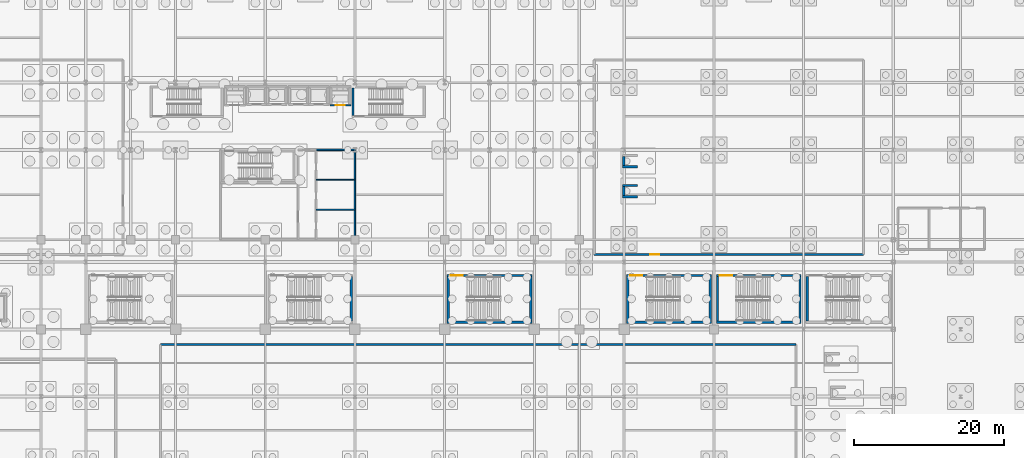
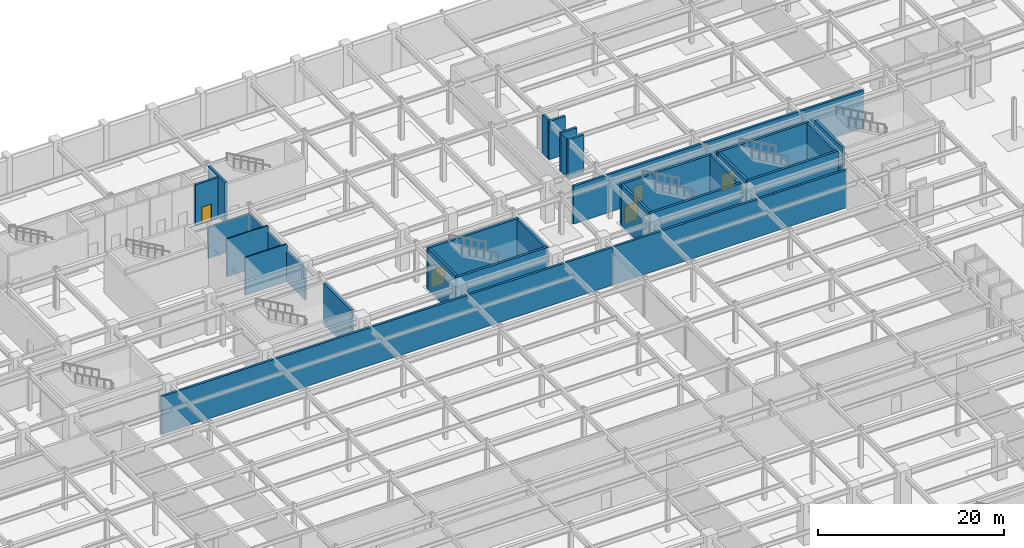
# One storey, part 30 of 47: 28 walls, 5 doors, 5 openings.
"""IFC4 building model written with IfcOpenShell, lengths in metres."""

from ifc_helpers import new_model, si_unit, direction, frame, frame_2d, origin, place, context, subcontext, project, spatial, rectangle, extrude, material, layer, layer_set, type_object, element, fill, save


model = new_model("IFC4")

# Units and contexts
model_context = context("Model", 3, precision=1e-05, world=origin(), true_north=direction((0.0, 1.0)))
body_context = subcontext(model_context, "Body", "Model", "MODEL_VIEW")
ifc_project = project(units=[si_unit("LENGTHUNIT", "METRE"), si_unit("AREAUNIT", "SQUARE_METRE"), si_unit("VOLUMEUNIT", "CUBIC_METRE"), si_unit("PLANEANGLEUNIT", "RADIAN"), si_unit("MASSUNIT", "GRAM", prefix="KILO")], contexts=[model_context])

# Site, building, storey
site_placement = place(None, origin())
site = spatial("IfcSite", under=ifc_project, at=site_placement, CompositionType="ELEMENT")
building_placement = place(site_placement, origin())
building = spatial("IfcBuilding", under=site, at=building_placement, Name="Kaldorvane Square Convention Centre", CompositionType="ELEMENT")
storey_placement = place(building_placement, frame((0.0, 0.0, -5.399993896484375)))
storey = spatial("IfcBuildingStorey", under=building, at=storey_placement, Name="B01", CompositionType="ELEMENT", Elevation=-5.399993896484375)

# Walls
ifc_material_1 = material(Name="Reinforced Concrete Masonry Acoustic Partition", Category="masonry")
ifc_layer_1 = layer(ifc_material_1, 0.279998779296875)
ifc_layer_set_1 = layer_set([ifc_layer_1], Name="Reinforced Concrete Masonry Acoustic Partition")
wall_type_1 = type_object("IfcWallType", Name="WL-ACO-280", PredefinedType="PARTITIONING", material=ifc_layer_set_1)
wall_1_placement = place(storey_placement, frame((96.0, 70.0, 0.0), z_axis=(0.0, 0.0, 1.0), x_axis=(-1.0, 0.0, 0.0)))
element("IfcWall", 1, at=wall_1_placement, inside=storey, type_object=wall_type_1, Name="Exhibition Crate Marshalling and Rigging Storage N Wall", PredefinedType="PARTITIONING", context=body_context, shape_type="SweptSolid", body=[
    extrude(rectangle(XDim=56.0, YDim=0.279998779296875, at=frame_2d((28.0, 0.0))), origin(), (0.0, 0.0, 1.0), 4.959991455078125),
])
wall_2_placement = place(storey_placement, frame((125.0, 70.0, 0.0), z_axis=(0.0, 0.0, 1.0), x_axis=(-1.0, 0.0, 0.0)))
element("IfcWall", 2, at=wall_2_placement, inside=storey, type_object=wall_type_1, Name="Central Banquet Commissary Kitchen N Wall", PredefinedType="PARTITIONING", context=body_context, shape_type="SweptSolid", body=[
    extrude(rectangle(XDim=29.0, YDim=0.279998779296875, at=frame_2d((14.5, 0.0))), origin(), (0.0, 0.0, 1.0), 4.959991455078125),
])

# Wall, opening, door
wall_3_placement = place(storey_placement, frame((98.0, 82.0, 0.0), z_axis=(0.0, 0.0, 1.0), x_axis=(1.0, 0.0, 0.0)))
wall_3 = element("IfcWall", 3, at=wall_3_placement, inside=storey, type_object=wall_type_1, Name="Building Automation and Telecom MDF Room S Wall", PredefinedType="PARTITIONING", context=body_context, shape_type="SweptSolid", body=[
    extrude(rectangle(XDim=36.0, YDim=0.279998779296875, at=frame_2d((18.0, 0.0))), origin(), (0.0, 0.0, 1.0), 4.959991455078125),
])
opening_1_placement = place(wall_3_placement, frame((7.5, 0.0, 0.0)))
opening_1 = element("IfcOpeningElement", 4, at=opening_1_placement, cuts=wall_3, Name="Opening ID-14", PredefinedType="OPENING", context=body_context, shape_type="SweptSolid", body=[
    extrude(rectangle(XDim=1.1999969482421875, YDim=2.1999969482421875, at=frame_2d((0.600006103515625, 1.100006103515625))), frame((0.0, 0.154998779296875, 0.0), z_axis=(0.0, -1.0, 0.0), x_axis=(1.0, 0.0, 0.0)), (0.0, 0.0, 1.0), 0.30999755859375),
])
ifc_material_2 = material(Name="Insulated Hollow Metal Steel", Category="steel")
door_type_1 = type_object("IfcDoorType", Name="DR-PLANT-1200X2200", OperationType="SINGLE_SWING_LEFT", PredefinedType="DOOR", material=ifc_material_2)
door_1_placement = place(opening_1_placement, origin())
door_1 = element("IfcDoor", 5, at=door_1_placement, inside=storey, type_object=door_type_1, Name="Building Automation and Telecom MDF Room Door 1", OperationType="SINGLE_SWING_LEFT", OverallHeight=2.1999969482421875, OverallWidth=1.1999969482421875, PredefinedType="DOOR", context=body_context, shape_type="SweptSolid", body=[
    extrude(rectangle(XDim=1.1999969482421875, YDim=2.1999969482421875, at=frame_2d((0.600006103515625, 1.100006103515625))), frame((0.0, 0.024993896484375, 0.0), z_axis=(0.0, -1.0, 0.0), x_axis=(1.0, 0.0, 0.0)), (0.0, 0.0, 1.0), 0.0500030517578125),
])
fill(opening_1, door_1)

# Walls
ifc_material_3 = material(Name="Fire-Rated Gypsum Board on Acoustic Steel Studs", Category="steel")
ifc_layer_2 = layer(ifc_material_3, 0.1999969482421875)
ifc_layer_set_2 = layer_set([ifc_layer_2], Name="Fire-Rated Gypsum Board on Acoustic Steel Studs")
wall_type_2 = type_object("IfcWallType", Name="WL-CORR-200", PredefinedType="PARTITIONING", material=ifc_layer_set_2)
wall_4_placement = place(storey_placement, frame((66.0, 84.0, 0.0), z_axis=(0.0, 0.0, 1.0), x_axis=(0.0, 1.0, 0.0)))
element("IfcWall", 6, at=wall_4_placement, inside=storey, type_object=wall_type_2, Name="Restroom East Wall (B01)", PredefinedType="PARTITIONING", context=body_context, shape_type="SweptSolid", body=[
    extrude(rectangle(XDim=12.0, YDim=0.1999969482421875, at=frame_2d((6.0, 0.0))), origin(), (0.0, 0.0, 1.0), 4.1699981689453125),
])
wall_5_placement = place(storey_placement, frame((60.80000305175781, 96.0, 0.0), z_axis=(0.0, 0.0, 1.0), x_axis=(1.0, 0.0, 0.0)))
element("IfcWall", 7, at=wall_5_placement, inside=storey, type_object=wall_type_2, Name="Restroom North Wall (B01)", PredefinedType="PARTITIONING", context=body_context, shape_type="SweptSolid", body=[
    extrude(rectangle(XDim=5.1999969482421875, YDim=0.1999969482421875, at=frame_2d((2.600006103515625, 0.0))), origin(), (0.0, 0.0, 1.0), 4.0889892578125),
])
ifc_layer_3 = layer(ifc_material_3, 0.149993896484375)
ifc_layer_set_3 = layer_set([ifc_layer_3], Name="Fire-Rated Gypsum Board on Acoustic Steel Studs")
wall_type_3 = type_object("IfcWallType", Name="WL-PART-150", PredefinedType="PARTITIONING", material=ifc_layer_set_3)
for number, where, z_axis, x_axis, name in (
    (8, (60.80000305175781, 88.0, 0.0), (0.0, 0.0, 1.0), (1.0, 0.0, 0.0), "Restroom Partition 1 (B01)"),
    (9, (60.80000305175781, 92.0, 0.0), (0.0, 0.0, 1.0), (1.0, 0.0, 0.0), "Restroom Partition 2 (B01)"),
):
    element("IfcWall", number, at=place(storey_placement, frame(where, z_axis=z_axis, x_axis=x_axis)), inside=storey, type_object=wall_type_3, Name=name, PredefinedType="PARTITIONING", context=body_context, shape_type="SweptSolid", body=[
        extrude(rectangle(XDim=5.1999969482421875, YDim=0.149993896484375, at=frame_2d((2.600006103515625, 0.0))), origin(), (0.0, 0.0, 1.0), 4.959991455078125),
    ])
ifc_material_4 = material(Name="Concrete f'c = 55 MPa (Normalweight)", Category="concrete")
ifc_layer_4 = layer(ifc_material_4, 0.3000030517578125)
ifc_layer_set_4 = layer_set([ifc_layer_4], Name="Concrete f'c = 55 MPa (Normalweight)")
wall_type_4 = type_object("IfcWallType", Name="WL-SHAFT-300", PredefinedType="SHEAR", material=ifc_layer_set_4)
wall_6_placement = place(storey_placement, frame((65.75, 104.25, 0.0), z_axis=(0.0, 0.0, 1.0), x_axis=(0.0, -1.0, 0.0)))
element("IfcWall", 10, at=wall_6_placement, inside=storey, type_object=wall_type_4, Name="Core Enclosure Wall stair:ST-T2-W (B01)", PredefinedType="SHEAR", context=body_context, shape_type="SweptSolid", body=[
    extrude(rectangle(XDim=3.6399993896484375, YDim=0.3000030517578125, at=frame_2d((1.82000732421875, 0.0))), origin(), (0.0, 0.0, 1.0), 5.399993896484375),
])
wall_7_placement = place(storey_placement, frame((65.50999450683594, 73.10000610351562, 0.0), z_axis=(0.0, 0.0, 1.0), x_axis=(0.0, 1.0, 0.0)))
element("IfcWall", 11, at=wall_7_placement, inside=storey, type_object=wall_type_4, Name="Core Enclosure Wall stair:ST-C14-E (B01)", PredefinedType="SHEAR", context=body_context, shape_type="SweptSolid", body=[
    extrude(rectangle(XDim=5.959991455078125, YDim=0.3000030517578125, at=frame_2d((2.9799957275390625, 0.0))), origin(), (0.0, 0.0, 1.0), 5.399993896484375),
])
wall_8_placement = place(storey_placement, frame((78.33999633789062, 72.94999694824219, 0.0), z_axis=(0.0, 0.0, 1.0), x_axis=(1.0, 0.0, 0.0)))
element("IfcWall", 12, at=wall_8_placement, inside=storey, type_object=wall_type_4, Name="Core Enclosure Wall stair:ST-C15-S (B01)", PredefinedType="SHEAR", context=body_context, shape_type="SweptSolid", body=[
    extrude(rectangle(XDim=11.32000732421875, YDim=0.3000030517578125, at=frame_2d((5.660003662109375, 0.0))), origin(), (0.0, 0.0, 1.0), 5.399993896484375),
])

# Wall, opening, door
wall_9_placement = place(storey_placement, frame((89.66000366210938, 79.21000671386719, 0.0), z_axis=(0.0, 0.0, 1.0), x_axis=(-1.0, 0.0, 0.0)))
wall_9 = element("IfcWall", 13, at=wall_9_placement, inside=storey, type_object=wall_type_4, Name="Core Enclosure Wall stair:ST-C15-N (B01)", PredefinedType="SHEAR", context=body_context, shape_type="SweptSolid", body=[
    extrude(rectangle(XDim=11.32000732421875, YDim=0.3000030517578125, at=frame_2d((5.660003662109375, 0.0))), origin(), (0.0, 0.0, 1.0), 5.399993896484375),
])
opening_2_placement = place(wall_9_placement, frame((9.220001220703125, 0.0, 0.0)))
opening_2 = element("IfcOpeningElement", 14, at=opening_2_placement, cuts=wall_9, Name="Opening FD90-S2", PredefinedType="OPENING", context=body_context, shape_type="SweptSolid", body=[
    extrude(rectangle(XDim=1.649993896484375, YDim=2.25, at=frame_2d((0.8249969482421875, 1.125))), frame((0.0, 0.165008544921875, 0.0), z_axis=(0.0, -1.0, 0.0), x_axis=(1.0, 0.0, 0.0)), (0.0, 0.0, 1.0), 0.3300018310546875),
])
ifc_material_5 = material(Name="Fire-Rated Hollow Metal Steel", Category="steel")
door_type_2 = type_object("IfcDoorType", Name="DR-STAIR-1650", OperationType="DOUBLE_DOOR_SINGLE_SWING", PredefinedType="DOOR", material=ifc_material_5)
door_2_placement = place(opening_2_placement, origin())
door_2 = element("IfcDoor", 15, at=door_2_placement, inside=storey, type_object=door_type_2, Name="Convention Exit Stair C15 Fire Door (B01)", OperationType="DOUBLE_DOOR_SINGLE_SWING", OverallHeight=2.25, OverallWidth=1.649993896484375, PredefinedType="DOOR", context=body_context, shape_type="SweptSolid", body=[
    extrude(rectangle(XDim=1.649993896484375, YDim=2.25, at=frame_2d((0.8249969482421875, 1.125))), frame((0.0, 0.024993896484375, 0.0), z_axis=(0.0, -1.0, 0.0), x_axis=(1.0, 0.0, 0.0)), (0.0, 0.0, 1.0), 0.0500030517578125),
])
fill(opening_2, door_2)

# Walls
for number, where, z_axis, x_axis, name in (
    (16, (78.49000549316406, 79.05999755859375, 0.0), (0.0, 0.0, 1.0), (0.0, -1.0, 0.0), "Core Enclosure Wall stair:ST-C15-W (B01)"),
    (17, (89.50999450683594, 73.10000610351562, 0.0), (0.0, 0.0, 1.0), (0.0, 1.0, 0.0), "Core Enclosure Wall stair:ST-C15-E (B01)"),
):
    element("IfcWall", number, at=place(storey_placement, frame(where, z_axis=z_axis, x_axis=x_axis)), inside=storey, type_object=wall_type_4, Name=name, PredefinedType="SHEAR", context=body_context, shape_type="SweptSolid", body=[
        extrude(rectangle(XDim=5.959991455078125, YDim=0.3000030517578125, at=frame_2d((2.9799957275390625, 0.0))), origin(), (0.0, 0.0, 1.0), 5.399993896484375),
    ])
wall_10_placement = place(storey_placement, frame((102.33999633789062, 72.94999694824219, 0.0), z_axis=(0.0, 0.0, 1.0), x_axis=(1.0, 0.0, 0.0)))
element("IfcWall", 18, at=wall_10_placement, inside=storey, type_object=wall_type_4, Name="Core Enclosure Wall stair:ST-C16-S (B01)", PredefinedType="SHEAR", context=body_context, shape_type="SweptSolid", body=[
    extrude(rectangle(XDim=11.32000732421875, YDim=0.3000030517578125, at=frame_2d((5.660003662109375, 0.0))), origin(), (0.0, 0.0, 1.0), 5.399993896484375),
])

# Wall, opening, door
wall_11_placement = place(storey_placement, frame((113.66000366210938, 79.21000671386719, 0.0), z_axis=(0.0, 0.0, 1.0), x_axis=(-1.0, 0.0, 0.0)))
wall_11 = element("IfcWall", 19, at=wall_11_placement, inside=storey, type_object=wall_type_4, Name="Core Enclosure Wall stair:ST-C16-N (B01)", PredefinedType="SHEAR", context=body_context, shape_type="SweptSolid", body=[
    extrude(rectangle(XDim=11.32000732421875, YDim=0.3000030517578125, at=frame_2d((5.660003662109375, 0.0))), origin(), (0.0, 0.0, 1.0), 5.399993896484375),
])
opening_3_placement = place(wall_11_placement, frame((9.220001220703125, 0.0, 0.0)))
opening_3 = element("IfcOpeningElement", 20, at=opening_3_placement, cuts=wall_11, Name="Opening FD90-S2", PredefinedType="OPENING", context=body_context, shape_type="SweptSolid", body=[
    extrude(rectangle(XDim=1.649993896484375, YDim=2.25, at=frame_2d((0.8249969482421875, 1.125))), frame((0.0, 0.165008544921875, 0.0), z_axis=(0.0, -1.0, 0.0), x_axis=(1.0, 0.0, 0.0)), (0.0, 0.0, 1.0), 0.3300018310546875),
])
door_3_placement = place(opening_3_placement, origin())
door_3 = element("IfcDoor", 21, at=door_3_placement, inside=storey, type_object=door_type_2, Name="Convention Exit Stair C16 Fire Door (B01)", OperationType="DOUBLE_DOOR_SINGLE_SWING", OverallHeight=2.25, OverallWidth=1.649993896484375, PredefinedType="DOOR", context=body_context, shape_type="SweptSolid", body=[
    extrude(rectangle(XDim=1.649993896484375, YDim=2.25, at=frame_2d((0.8249969482421875, 1.125))), frame((0.0, 0.024993896484375, 0.0), z_axis=(0.0, -1.0, 0.0), x_axis=(1.0, 0.0, 0.0)), (0.0, 0.0, 1.0), 0.0500030517578125),
])
fill(opening_3, door_3)

# Walls
for number, where, z_axis, x_axis, name in (
    (22, (102.49000549316406, 79.05999755859375, 0.0), (0.0, 0.0, 1.0), (0.0, -1.0, 0.0), "Core Enclosure Wall stair:ST-C16-W (B01)"),
    (23, (113.50999450683594, 73.10000610351562, 0.0), (0.0, 0.0, 1.0), (0.0, 1.0, 0.0), "Core Enclosure Wall stair:ST-C16-E (B01)"),
):
    element("IfcWall", number, at=place(storey_placement, frame(where, z_axis=z_axis, x_axis=x_axis)), inside=storey, type_object=wall_type_4, Name=name, PredefinedType="SHEAR", context=body_context, shape_type="SweptSolid", body=[
        extrude(rectangle(XDim=5.959991455078125, YDim=0.3000030517578125, at=frame_2d((2.9799957275390625, 0.0))), origin(), (0.0, 0.0, 1.0), 5.399993896484375),
    ])
wall_12_placement = place(storey_placement, frame((114.33999633789062, 72.94999694824219, 0.0), z_axis=(0.0, 0.0, 1.0), x_axis=(1.0, 0.0, 0.0)))
element("IfcWall", 24, at=wall_12_placement, inside=storey, type_object=wall_type_4, Name="Core Enclosure Wall stair:ST-C17-S (B01)", PredefinedType="SHEAR", context=body_context, shape_type="SweptSolid", body=[
    extrude(rectangle(XDim=11.32000732421875, YDim=0.3000030517578125, at=frame_2d((5.660003662109375, 0.0))), origin(), (0.0, 0.0, 1.0), 5.399993896484375),
])

# Wall, opening, door
wall_13_placement = place(storey_placement, frame((125.66000366210938, 79.21000671386719, 0.0), z_axis=(0.0, 0.0, 1.0), x_axis=(-1.0, 0.0, 0.0)))
wall_13 = element("IfcWall", 25, at=wall_13_placement, inside=storey, type_object=wall_type_4, Name="Core Enclosure Wall stair:ST-C17-N (B01)", PredefinedType="SHEAR", context=body_context, shape_type="SweptSolid", body=[
    extrude(rectangle(XDim=11.32000732421875, YDim=0.3000030517578125, at=frame_2d((5.660003662109375, 0.0))), origin(), (0.0, 0.0, 1.0), 5.399993896484375),
])
opening_4_placement = place(wall_13_placement, frame((9.220001220703125, 0.0, 0.0)))
opening_4 = element("IfcOpeningElement", 26, at=opening_4_placement, cuts=wall_13, Name="Opening FD90-S2", PredefinedType="OPENING", context=body_context, shape_type="SweptSolid", body=[
    extrude(rectangle(XDim=1.649993896484375, YDim=2.25, at=frame_2d((0.8249969482421875, 1.125))), frame((0.0, 0.165008544921875, 0.0), z_axis=(0.0, -1.0, 0.0), x_axis=(1.0, 0.0, 0.0)), (0.0, 0.0, 1.0), 0.3300018310546875),
])
door_4_placement = place(opening_4_placement, origin())
door_4 = element("IfcDoor", 27, at=door_4_placement, inside=storey, type_object=door_type_2, Name="Convention Exit Stair C17 Fire Door (B01)", OperationType="DOUBLE_DOOR_SINGLE_SWING", OverallHeight=2.25, OverallWidth=1.649993896484375, PredefinedType="DOOR", context=body_context, shape_type="SweptSolid", body=[
    extrude(rectangle(XDim=1.649993896484375, YDim=2.25, at=frame_2d((0.8249969482421875, 1.125))), frame((0.0, 0.024993896484375, 0.0), z_axis=(0.0, -1.0, 0.0), x_axis=(1.0, 0.0, 0.0)), (0.0, 0.0, 1.0), 0.0500030517578125),
])
fill(opening_4, door_4)

# Walls
for number, where, z_axis, x_axis, name in (
    (28, (114.49000549316406, 79.05999755859375, 0.0), (0.0, 0.0, 1.0), (0.0, -1.0, 0.0), "Core Enclosure Wall stair:ST-C17-W (B01)"),
    (29, (125.50999450683594, 73.10000610351562, 0.0), (0.0, 0.0, 1.0), (0.0, 1.0, 0.0), "Core Enclosure Wall stair:ST-C17-E (B01)"),
    (30, (126.49000549316406, 79.05999755859375, 0.0), (0.0, 0.0, 1.0), (0.0, -1.0, 0.0), "Core Enclosure Wall stair:ST-C18-W (B01)"),
):
    element("IfcWall", number, at=place(storey_placement, frame(where, z_axis=z_axis, x_axis=x_axis)), inside=storey, type_object=wall_type_4, Name=name, PredefinedType="SHEAR", context=body_context, shape_type="SweptSolid", body=[
        extrude(rectangle(XDim=5.959991455078125, YDim=0.3000030517578125, at=frame_2d((2.9799957275390625, 0.0))), origin(), (0.0, 0.0, 1.0), 5.399993896484375),
    ])
for number, where, z_axis, x_axis, name in (
    (31, (101.77999877929688, 89.75, 0.0), (0.0, 0.0, 1.0), (1.0, 0.0, 0.0), "Hotel Atrium Grand Stair F5 Support Pier S (B01)"),
    (32, (101.77999877929688, 91.25, 0.0), (0.0, 0.0, 1.0), (1.0, 0.0, 0.0), "Hotel Atrium Grand Stair F5 Support Pier N (B01)"),
):
    element("IfcWall", number, at=place(storey_placement, frame(where, z_axis=z_axis, x_axis=x_axis)), inside=storey, type_object=wall_type_4, Name=name, PredefinedType="SHEAR", context=body_context, shape_type="SweptSolid", body=[
        extrude(rectangle(XDim=2.0, YDim=0.3000030517578125, at=frame_2d((1.0, 0.0))), origin(), (0.0, 0.0, 1.0), 5.019989013671875),
    ])
wall_14_placement = place(storey_placement, frame((101.92999267578125, 89.89999389648438, 0.0), z_axis=(0.0, 0.0, 1.0), x_axis=(0.0, 1.0, 0.0)))
element("IfcWall", 33, at=wall_14_placement, inside=storey, type_object=wall_type_4, Name="Hotel Atrium Grand Stair F5 Support Pier W (B01)", PredefinedType="SHEAR", context=body_context, shape_type="SweptSolid", body=[
    extrude(rectangle(XDim=1.20001220703125, YDim=0.3000030517578125, at=frame_2d((0.600006103515625, 0.0))), origin(), (0.0, 0.0, 1.0), 5.019989013671875),
])
wall_15_placement = place(storey_placement, frame((101.77999877929688, 93.75, 0.0), z_axis=(0.0, 0.0, 1.0), x_axis=(1.0, 0.0, 0.0)))
element("IfcWall", 34, at=wall_15_placement, inside=storey, type_object=wall_type_4, Name="Hotel Atrium Grand Stair F6 Support Pier S (B01)", PredefinedType="SHEAR", context=body_context, shape_type="SweptSolid", body=[
    extrude(rectangle(XDim=2.0, YDim=0.3000030517578125, at=frame_2d((1.0, 0.0))), origin(), (0.0, 0.0, 1.0), 5.019989013671875),
])
wall_16_placement = place(storey_placement, frame((101.92999267578125, 93.89999389648438, 0.0), z_axis=(0.0, 0.0, 1.0), x_axis=(0.0, 1.0, 0.0)))
element("IfcWall", 35, at=wall_16_placement, inside=storey, type_object=wall_type_4, Name="Hotel Atrium Grand Stair F6 Support Pier W (B01)", PredefinedType="SHEAR", context=body_context, shape_type="SweptSolid", body=[
    extrude(rectangle(XDim=1.20001220703125, YDim=0.3000030517578125, at=frame_2d((0.600006103515625, 0.0))), origin(), (0.0, 0.0, 1.0), 5.019989013671875),
])

# Wall, opening, door
wall_17_placement = place(storey_placement, frame((62.649993896484375, 101.97500610351562, 0.0), z_axis=(0.0, 0.0, 1.0), x_axis=(1.0, 0.0, 0.0)))
wall_17 = element("IfcWall", 36, at=wall_17_placement, inside=storey, type_object=wall_type_4, Name="Core Enclosure Wall lift:FSAE-02-S (B01)", PredefinedType="SHEAR", context=body_context, shape_type="SweptSolid", body=[
    extrude(rectangle(XDim=2.8000030517578125, YDim=0.25, at=frame_2d((1.399993896484375, 0.0))), origin(), (0.0, 0.0, 1.0), 5.399993896484375),
])
opening_5_placement = place(wall_17_placement, frame((0.8000030517578125, 0.0, 0.0)))
opening_5 = element("IfcOpeningElement", 37, at=opening_5_placement, cuts=wall_17, Name="Opening LD-02", PredefinedType="OPENING", context=body_context, shape_type="SweptSolid", body=[
    extrude(rectangle(XDim=1.1999969482421875, YDim=2.1999969482421875, at=frame_2d((0.600006103515625, 1.100006103515625))), frame((0.0, 0.1399993896484375, 0.0), z_axis=(0.0, -1.0, 0.0), x_axis=(1.0, 0.0, 0.0)), (0.0, 0.0, 1.0), 0.279998779296875),
])
ifc_material_6 = material(Name="Stainless Steel Elevator Door Assembly", Category="steel")
door_type_3 = type_object("IfcDoorType", Name="DR-LIFT-1200", OperationType="DOUBLE_DOOR_SLIDING", PredefinedType="DOOR", material=ifc_material_6)
door_5_placement = place(opening_5_placement, origin())
door_5 = element("IfcDoor", 38, at=door_5_placement, inside=storey, type_object=door_type_3, Name="Elevator Landing Door FSAE-02 (B01)", OperationType="DOUBLE_DOOR_SLIDING", OverallHeight=2.1999969482421875, OverallWidth=1.1999969482421875, PredefinedType="DOOR", context=body_context, shape_type="SweptSolid", body=[
    extrude(rectangle(XDim=1.1999969482421875, YDim=2.1999969482421875, at=frame_2d((0.600006103515625, 1.100006103515625))), frame((0.0, 0.024993896484375, 0.0), z_axis=(0.0, -1.0, 0.0), x_axis=(1.0, 0.0, 0.0)), (0.0, 0.0, 1.0), 0.0500030517578125),
])
fill(opening_5, door_5)

save(model, "model.ifc")
